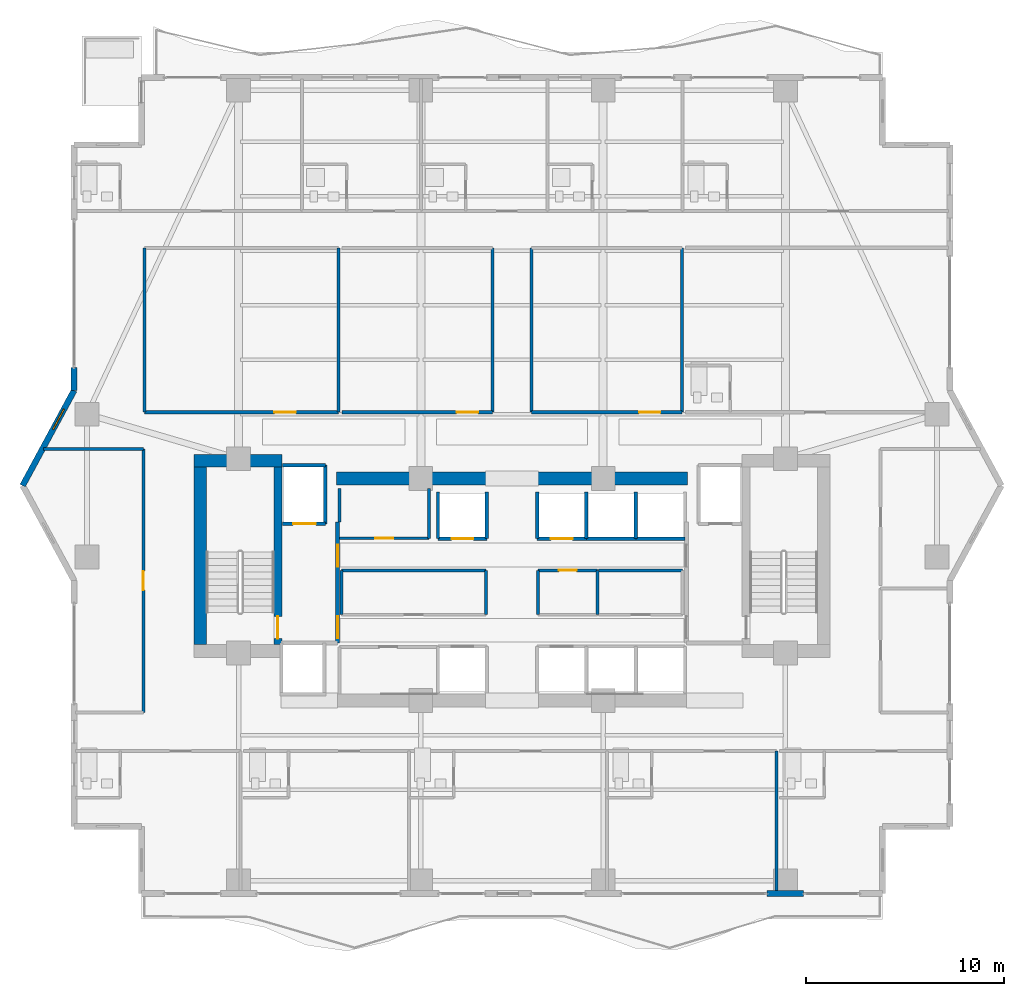
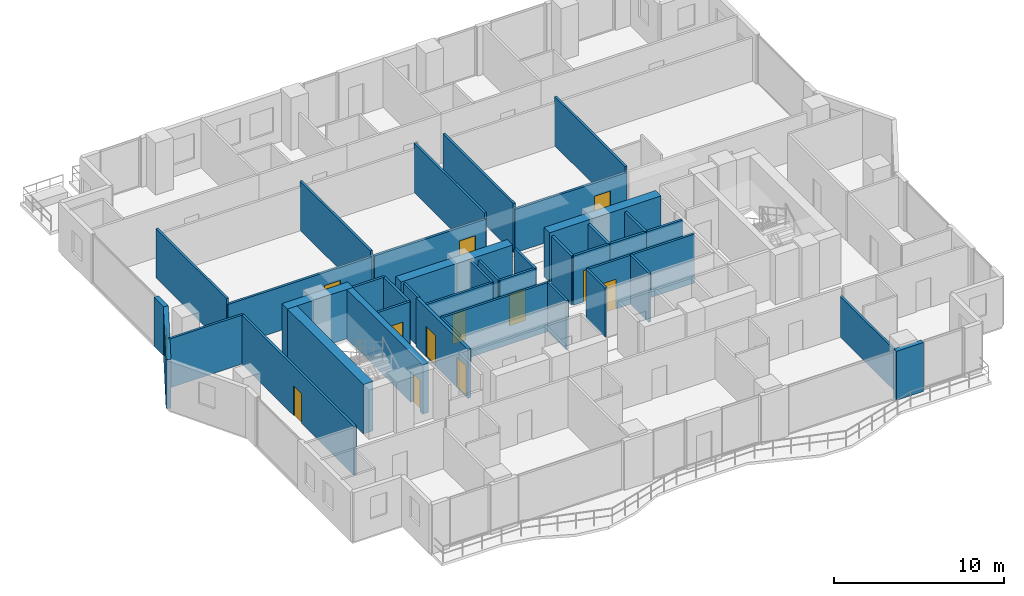
# One storey, part 25 of 32: 42 walls, 12 doors, 1 window, 13 openings.
"""IFC4 building model written with IfcOpenShell, lengths in metres."""

from ifc_helpers import new_model, si_unit, direction, frame, frame_2d, origin, place, context, subcontext, project, spatial, rectangle, extrude, material, layer, layer_set, type_object, element, fill, save


model = new_model("IFC4")

# Units and contexts
model_context = context("Model", 3, precision=1e-05, world=origin(), true_north=direction((0.0, 1.0)))
body_context = subcontext(model_context, "Body", "Model", "MODEL_VIEW")
ifc_project = project(units=[si_unit("LENGTHUNIT", "METRE"), si_unit("AREAUNIT", "SQUARE_METRE"), si_unit("VOLUMEUNIT", "CUBIC_METRE"), si_unit("PLANEANGLEUNIT", "RADIAN"), si_unit("MASSUNIT", "GRAM", prefix="KILO")], contexts=[model_context])

# Site, building, storey
site_placement = place(None, origin())
site = spatial("IfcSite", under=ifc_project, at=site_placement, CompositionType="ELEMENT")
building_placement = place(site_placement, origin())
building = spatial("IfcBuilding", under=site, at=building_placement, Name="Zuhayl Quay Hotel", CompositionType="ELEMENT")
storey_placement = place(building_placement, frame((0.0, 0.0, 184.89990234375)))
storey = spatial("IfcBuildingStorey", under=building, at=storey_placement, Name="L46", CompositionType="ELEMENT", Elevation=184.89990234375)

# Walls
ifc_material_1 = material(Name="Concrete C50/60", Category="concrete")
ifc_layer_1 = layer(ifc_material_1, 0.64990234375, Name="Concrete C50/60", Category="concrete")
ifc_layer_set_1 = layer_set([ifc_layer_1], Name="Concrete C50/60")
wall_type_1 = type_object("IfcWallType", Name="WL_CORE_650", PredefinedType="SHEAR", material=ifc_layer_set_1)
wall_1_placement = place(storey_placement, frame((-16.06005859375, 14.2548828125, 0.0), z_axis=(0.0, 0.0, 1.0), x_axis=(1.0, 0.0, 0.0)))
element("IfcWall", 1, at=wall_1_placement, inside=storey, type_object=wall_type_1, Name="L46 Core Shear Wall CW_NW", PredefinedType="SHEAR", context=body_context, shape_type="SweptSolid", body=[
    extrude(rectangle(XDim=4.4599609375, YDim=0.64990234375, at=frame_2d((2.22998046875, 0.0))), origin(), (0.0, 0.0, 1.0), 3.56005859375),
])
wall_2_placement = place(storey_placement, frame((-15.735107421875, 4.969970703125, 0.0), z_axis=(0.0, 0.0, 1.0), x_axis=(0.0, 1.0, 0.0)))
element("IfcWall", 2, at=wall_2_placement, inside=storey, type_object=wall_type_1, Name="L46 Core Shear Wall CW_W", PredefinedType="SHEAR", context=body_context, shape_type="SweptSolid", body=[
    extrude(rectangle(XDim=8.9599609375, YDim=0.64990234375, at=frame_2d((4.47998046875, 0.0))), origin(), (0.0, 0.0, 1.0), 3.56005859375),
])
for number, where, z_axis, x_axis, name in (
    (3, (-8.85009765625, 13.35009765625, 0.0), (0.0, 0.0, 1.0), (1.0, 0.0, 0.0), "L46 Core Shear Wall CW_NC_W"),
    (4, (1.25, 13.35009765625, 0.0), (0.0, 0.0, 1.0), (1.0, 0.0, 0.0), "L46 Core Shear Wall CW_NC_E"),
):
    element("IfcWall", number, at=place(storey_placement, frame(where, z_axis=z_axis, x_axis=x_axis)), inside=storey, type_object=wall_type_1, Name=name, PredefinedType="SHEAR", context=body_context, shape_type="SweptSolid", body=[
        extrude(rectangle(XDim=7.60009765625, YDim=0.64990234375, at=frame_2d((3.800048828125, 0.0))), origin(), (0.0, 0.0, 1.0), 3.530029296875),
    ])

# Wall, opening, window
ifc_material_2 = material(Name="Precast concrete C45/55", Category="concrete")
ifc_layer_2 = layer(ifc_material_2, 0.300048828125, Name="Precast concrete C45/55", Category="concrete")
ifc_layer_set_2 = layer_set([ifc_layer_2], Name="Precast concrete C45/55")
wall_type_2 = type_object("IfcWallType", Name="WL_EXT_300", PredefinedType="STANDARD", material=ifc_layer_set_2)
wall_3_placement = place(storey_placement, frame((-24.699951171875, 13.0, 0.0), z_axis=(0.0, 0.0, 1.0), x_axis=(0.476258655584, 0.879305233114, 0.0)))
wall_3 = element("IfcWall", 5, at=wall_3_placement, inside=storey, type_object=wall_type_2, Name="L46 Exterior Precast Wall ENV_L46_EW04", PredefinedType="STANDARD", context=body_context, shape_type="SweptSolid", body=[
    extrude(rectangle(XDim=5.458984375, YDim=0.300048828125, at=frame_2d((2.7294921875, 0.0))), origin(), (0.0, 0.0, 1.0), 3.530029296875),
])
opening_1_placement = place(wall_3_placement, frame((3.230712890625, 0.0, 1.25)))
opening_1 = element("IfcOpeningElement", 6, at=opening_1_placement, cuts=wall_3, Name="Opening W01N", PredefinedType="OPENING", context=body_context, shape_type="SweptSolid", body=[
    extrude(rectangle(XDim=1.14990234375, YDim=1.550048828125, at=frame_2d((0.574951171875, 0.77490234375))), frame((0.0, 0.159912109375, 0.0), z_axis=(0.0, -1.0, 0.0), x_axis=(1.0, 0.0, 0.0)), (0.0, 0.0, 1.0), 0.320068359375),
])
ifc_material_3 = material(Name="Dark Ceramic-Fritted Solar Glass", Category="glass")
window_type = type_object("IfcWindowType", Name="WN_NOTCH_1350", PartitioningType="SINGLE_PANEL", PredefinedType="WINDOW", material=ifc_material_3)
window_placement = place(opening_1_placement, origin())
window = element("IfcWindow", 7, at=window_placement, inside=storey, type_object=window_type, Name="L46 Corner Notch Window 4", OverallHeight=1.550048828125, OverallWidth=1.14990234375, PartitioningType="SINGLE_PANEL", PredefinedType="WINDOW", context=body_context, shape_type="SweptSolid", body=[
    extrude(rectangle(XDim=1.14990234375, YDim=1.550048828125, at=frame_2d((0.574951171875, 0.77490234375))), frame((0.0, 0.030029296875, 0.0), z_axis=(0.0, -1.0, 0.0), x_axis=(1.0, 0.0, 0.0)), (0.0, 0.0, 1.0), 0.06005859375),
])
fill(opening_1, window)

# Walls
wall_4_placement = place(storey_placement, frame((-22.10009765625, 17.800048828125, 0.0), z_axis=(0.0, 0.0, 1.0), x_axis=(0.0, 1.0, 0.0)))
element("IfcWall", 8, at=wall_4_placement, inside=storey, type_object=wall_type_2, Name="L46 Exterior Precast Wall ENV_L46_E05_EW1", PredefinedType="STANDARD", context=body_context, shape_type="SweptSolid", body=[
    extrude(rectangle(XDim=1.14990234375, YDim=0.300048828125, at=frame_2d((0.574951171875, 0.0))), origin(), (0.0, 0.0, 1.0), 3.530029296875),
])
wall_5_placement = place(storey_placement, frame((14.719970703125, -7.60009765625, 0.0), z_axis=(0.0, 0.0, 1.0), x_axis=(-1.0, 0.0, 0.0)))
element("IfcWall", 9, at=wall_5_placement, inside=storey, type_object=wall_type_2, Name="L46 Exterior Precast Wall ENV_L46_S_EW2", PredefinedType="STANDARD", context=body_context, shape_type="SweptSolid", body=[
    extrude(rectangle(XDim=1.840087890625, YDim=0.300048828125, at=frame_2d((0.919921875, 0.0))), origin(), (0.0, 0.0, 1.0), 3.530029296875),
])

# Wall, opening, door
ifc_material_4 = material(Name="Acoustic Gypsum Partition STC-58")
ifc_layer_3 = layer(ifc_material_4, 0.14990234375, Name="Acoustic Gypsum Partition STC-58")
ifc_layer_set_3 = layer_set([ifc_layer_3], Name="Acoustic Gypsum Partition STC-58")
wall_type_3 = type_object("IfcWallType", Name="WL_PART_150", PredefinedType="PARTITIONING", material=ifc_layer_set_3)
wall_6_placement = place(storey_placement, frame((-8.7099609375, 10.340087890625, 0.0), z_axis=(0.0, 0.0, 1.0), x_axis=(1.0, 0.0, 0.0)))
wall_6 = element("IfcWall", 10, at=wall_6_placement, inside=storey, type_object=wall_type_3, Name="L46 Partition IW_L46_FLP_N_S", PredefinedType="PARTITIONING", context=body_context, shape_type="SweptSolid", body=[
    extrude(rectangle(XDim=4.52001953125, YDim=0.14990234375, at=frame_2d((2.260009765625, 0.0))), origin(), (0.0, 0.0, 1.0), 3.530029296875),
])
opening_2_placement = place(wall_6_placement, frame((1.81005859375, 0.0, 0.0)))
opening_2 = element("IfcOpeningElement", 11, at=opening_2_placement, cuts=wall_6, Name="Opening D06", PredefinedType="OPENING", context=body_context, shape_type="SweptSolid", body=[
    extrude(rectangle(XDim=0.89990234375, YDim=2.14990234375, at=frame_2d((0.449951171875, 1.074951171875))), frame((0.0, 0.0849609375, 0.0), z_axis=(0.0, -1.0, 0.0), x_axis=(1.0, 0.0, 0.0)), (0.0, 0.0, 1.0), 0.169921875),
])
ifc_material_5 = material(Name="Steel ASTM A992 Grade 50", Category="steel")
door_type_1 = type_object("IfcDoorType", Name="DR_INT_900", OperationType="NOTDEFINED", PredefinedType="DOOR", material=ifc_material_5)
door_1_placement = place(opening_2_placement, origin())
door_1 = element("IfcDoor", 12, at=door_1_placement, inside=storey, type_object=door_type_1, Name="L46 Linen Store West Door", OperationType="SINGLE_SWING_RIGHT", OverallHeight=2.14990234375, OverallWidth=0.89990234375, PredefinedType="DOOR", context=body_context, shape_type="SweptSolid", body=[
    extrude(rectangle(XDim=0.89990234375, YDim=2.14990234375, at=frame_2d((0.449951171875, 1.074951171875))), frame((0.0, 0.02490234375, 0.0), z_axis=(0.0, -1.0, 0.0), x_axis=(1.0, 0.0, 0.0)), (0.0, 0.0, 1.0), 0.050048828125),
])
fill(opening_2, door_1)

wall_7_placement = place(storey_placement, frame((1.320068359375, 8.719970703125, 0.0), z_axis=(0.0, 0.0, 1.0), x_axis=(1.0, 0.0, 0.0)))
wall_7 = element("IfcWall", 13, at=wall_7_placement, inside=storey, type_object=wall_type_3, Name="L46 Partition IW_L46_CORE_IT_N", PredefinedType="PARTITIONING", context=body_context, shape_type="SweptSolid", body=[
    extrude(rectangle(XDim=2.989990234375, YDim=0.14990234375, at=frame_2d((1.4951171875, 0.0))), origin(), (0.0, 0.0, 1.0), 3.530029296875),
])
opening_3_placement = place(wall_7_placement, frame((1.044921875, 0.0, 0.0)))
opening_3 = element("IfcOpeningElement", 14, at=opening_3_placement, cuts=wall_7, Name="Opening D06", PredefinedType="OPENING", context=body_context, shape_type="SweptSolid", body=[
    extrude(rectangle(XDim=0.89990234375, YDim=2.14990234375, at=frame_2d((0.449951171875, 1.074951171875))), frame((0.0, 0.0849609375, 0.0), z_axis=(0.0, -1.0, 0.0), x_axis=(1.0, 0.0, 0.0)), (0.0, 0.0, 1.0), 0.169921875),
])
door_2_placement = place(opening_3_placement, origin())
door_2 = element("IfcDoor", 15, at=door_2_placement, inside=storey, type_object=door_type_1, Name="L46 Telecom Closet Door", OperationType="SINGLE_SWING_RIGHT", OverallHeight=2.14990234375, OverallWidth=0.89990234375, PredefinedType="DOOR", context=body_context, shape_type="SweptSolid", body=[
    extrude(rectangle(XDim=0.89990234375, YDim=2.14990234375, at=frame_2d((0.449951171875, 1.074951171875))), frame((0.0, 0.02490234375, 0.0), z_axis=(0.0, -1.0, 0.0), x_axis=(1.0, 0.0, 0.0)), (0.0, 0.0, 1.0), 0.050048828125),
])
fill(opening_3, door_2)

# Walls
wall_8_placement = place(storey_placement, frame((-8.7099609375, 11.14990234375, 0.0), z_axis=(0.0, 0.0, 1.0), x_axis=(0.0, 1.0, 0.0)))
element("IfcWall", 16, at=wall_8_placement, inside=storey, type_object=wall_type_3, Name="L46 Partition IW_L46_FLP_N_W", PredefinedType="PARTITIONING", context=body_context, shape_type="SweptSolid", body=[
    extrude(rectangle(XDim=1.710205078125, YDim=0.14990234375, at=frame_2d((0.85498046875, 0.0))), origin(), (0.0, 0.0, 1.0), 3.530029296875),
])
wall_9_placement = place(storey_placement, frame((-4.18994140625, 10.340087890625, 0.0), z_axis=(0.0, 0.0, 1.0), x_axis=(0.0, 1.0, 0.0)))
element("IfcWall", 17, at=wall_9_placement, inside=storey, type_object=wall_type_3, Name="L46 Partition IW_L46_FLP_N_E", PredefinedType="PARTITIONING", context=body_context, shape_type="SweptSolid", body=[
    extrude(rectangle(XDim=2.52001953125, YDim=0.14990234375, at=frame_2d((1.260009765625, 0.0))), origin(), (0.0, 0.0, 1.0), 3.530029296875),
])
wall_10_placement = place(storey_placement, frame((-8.610107421875, 8.719970703125, 0.0), z_axis=(0.0, 0.0, 1.0), x_axis=(1.0, 0.0, 0.0)))
element("IfcWall", 18, at=wall_10_placement, inside=storey, type_object=wall_type_3, Name="L46 Partition IW_L46_CORE_EL_N", PredefinedType="PARTITIONING", context=body_context, shape_type="SweptSolid", body=[
    extrude(rectangle(XDim=7.2900390625, YDim=0.14990234375, at=frame_2d((3.64501953125, 0.0))), origin(), (0.0, 0.0, 1.0), 3.530029296875),
])
for number, where, z_axis, x_axis, name in (
    (19, (-8.610107421875, 6.47998046875, 0.0), (0.0, 0.0, 1.0), (0.0, 1.0, 0.0), "L46 Partition IW_L46_CORE_EL_W"),
    (20, (-1.320068359375, 6.47998046875, 0.0), (0.0, 0.0, 1.0), (0.0, 1.0, 0.0), "L46 Partition IW_L46_CORE_EL_E"),
    (21, (1.320068359375, 6.47998046875, 0.0), (0.0, 0.0, 1.0), (0.0, 1.0, 0.0), "L46 Partition IW_L46_CORE_IT_W"),
    (22, (4.31005859375, 6.47998046875, 0.0), (0.0, 0.0, 1.0), (0.0, 1.0, 0.0), "L46 Partition IW_L46_CORE_IT_E"),
):
    element("IfcWall", number, at=place(storey_placement, frame(where, z_axis=z_axis, x_axis=x_axis)), inside=storey, type_object=wall_type_3, Name=name, PredefinedType="PARTITIONING", context=body_context, shape_type="SweptSolid", body=[
        extrude(rectangle(XDim=2.239990234375, YDim=0.14990234375, at=frame_2d((1.1201171875, 0.0))), origin(), (0.0, 0.0, 1.0), 3.530029296875),
    ])
wall_11_placement = place(storey_placement, frame((4.3701171875, 8.719970703125, 0.0), z_axis=(0.0, 0.0, 1.0), x_axis=(1.0, 0.0, 0.0)))
element("IfcWall", 23, at=wall_11_placement, inside=storey, type_object=wall_type_3, Name="L46 Partition IW_L46_CORE_LN_N", PredefinedType="PARTITIONING", context=body_context, shape_type="SweptSolid", body=[
    extrude(rectangle(XDim=4.239990234375, YDim=0.14990234375, at=frame_2d((2.1201171875, 0.0))), origin(), (0.0, 0.0, 1.0), 3.530029296875),
])
for number, where, z_axis, x_axis, name in (
    (24, (-18.550048828125, 16.699951171875, 0.0), (0.0, 0.0, 1.0), (0.0, 1.0, 0.0), "L46 Partition IW_L46_Z3_SAL_W1_W"),
    (25, (-8.75, 16.699951171875, 0.0), (0.0, 0.0, 1.0), (0.0, 1.0, 0.0), "L46 Partition IW_L46_Z3_SAL_W1_E"),
    (26, (-0.97998046875, 16.699951171875, 0.0), (0.0, 0.0, 1.0), (0.0, 1.0, 0.0), "L46 Partition IW_L46_Z3_SAL_W2_E"),
    (27, (0.97998046875, 16.699951171875, 0.0), (0.0, 0.0, 1.0), (0.0, 1.0, 0.0), "L46 Partition IW_L46_Z3_SAL_E1_W"),
    (28, (8.590087890625, 16.699951171875, 0.0), (0.0, 0.0, 1.0), (0.0, 1.0, 0.0), "L46 Partition IW_L46_Z3_SAL_E1_E"),
):
    element("IfcWall", number, at=place(storey_placement, frame(where, z_axis=z_axis, x_axis=x_axis)), inside=storey, type_object=wall_type_3, Name=name, PredefinedType="PARTITIONING", context=body_context, shape_type="SweptSolid", body=[
        extrude(rectangle(XDim=8.300048828125, YDim=0.14990234375, at=frame_2d((4.14990234375, 0.0))), origin(), (0.0, 0.0, 1.0), 3.530029296875),
    ])
wall_12_placement = place(storey_placement, frame((13.340087890625, -7.52001953125, 0.0), z_axis=(0.0, 0.0, 1.0), x_axis=(0.0, 1.0, 0.0)))
element("IfcWall", 29, at=wall_12_placement, inside=storey, type_object=wall_type_3, Name="L46 Partition IW_L46_SU03A_E", PredefinedType="PARTITIONING", context=body_context, shape_type="SweptSolid", body=[
    extrude(rectangle(XDim=7.1201171875, YDim=0.14990234375, at=frame_2d((3.56005859375, 0.0))), origin(), (0.0, 0.0, 1.0), 2.923095703125),
])
wall_13_placement = place(storey_placement, frame((-23.637939453125, 14.85009765625, 0.0), z_axis=(0.0, 0.0, 1.0), x_axis=(1.0, 0.0, 0.0)))
element("IfcWall", 30, at=wall_13_placement, inside=storey, type_object=wall_type_3, Name="L46 Partition IW_L46_WPROW_1_N", PredefinedType="PARTITIONING", context=body_context, shape_type="SweptSolid", body=[
    extrude(rectangle(XDim=5.037841796875, YDim=0.14990234375, at=frame_2d((2.51904296875, 0.0))), origin(), (0.0, 0.0, 1.0), 3.530029296875),
])

# Wall, opening, door
ifc_layer_4 = layer(ifc_material_4, 0.159912109375, Name="Acoustic Gypsum Partition STC-58")
ifc_layer_set_4 = layer_set([ifc_layer_4], Name="Acoustic Gypsum Partition STC-58")
wall_type_4 = type_object("IfcWallType", Name="WL_PART_CORR_160", PredefinedType="PARTITIONING", material=ifc_layer_set_4)
wall_14_placement = place(storey_placement, frame((-18.550048828125, 16.699951171875, 0.0), z_axis=(0.0, 0.0, 1.0), x_axis=(1.0, 0.0, 0.0)))
wall_14 = element("IfcWall", 31, at=wall_14_placement, inside=storey, type_object=wall_type_4, Name="L46 Partition IW_L46_Z3_SAL_W1_S", PredefinedType="PARTITIONING", context=body_context, shape_type="SweptSolid", body=[
    extrude(rectangle(XDim=9.800048828125, YDim=0.159912109375, at=frame_2d((4.89990234375, 0.0))), origin(), (0.0, 0.0, 1.0), 3.1240234375),
])
opening_4_placement = place(wall_14_placement, frame((6.56005859375, 0.0, 0.0)))
opening_4 = element("IfcOpeningElement", 32, at=opening_4_placement, cuts=wall_14, Name="Opening D05A", PredefinedType="OPENING", context=body_context, shape_type="SweptSolid", body=[
    extrude(rectangle(XDim=1.080078125, YDim=2.179931640625, at=frame_2d((0.5400390625, 1.08984375))), frame((0.0, 0.08984375, 0.0), z_axis=(0.0, -1.0, 0.0), x_axis=(1.0, 0.0, 0.0)), (0.0, 0.0, 1.0), 0.179931640625),
])
ifc_material_6 = material(Name="Solid Walnut Acoustic Fire Door")
door_type_2 = type_object("IfcDoorType", Name="DR_INT_1100", OperationType="NOTDEFINED", PredefinedType="DOOR", material=ifc_material_6)
door_3_placement = place(opening_4_placement, origin())
door_3 = element("IfcDoor", 33, at=door_3_placement, inside=storey, type_object=door_type_2, Name="L46 Spa Club Salon Door", OperationType="SINGLE_SWING_RIGHT", OverallHeight=2.179931640625, OverallWidth=1.080078125, PredefinedType="DOOR", context=body_context, shape_type="SweptSolid", body=[
    extrude(rectangle(XDim=1.080078125, YDim=2.179931640625, at=frame_2d((0.5400390625, 1.08984375))), frame((0.0, 0.02490234375, 0.0), z_axis=(0.0, -1.0, 0.0), x_axis=(1.0, 0.0, 0.0)), (0.0, 0.0, 1.0), 0.050048828125),
])
fill(opening_4, door_3)

wall_15_placement = place(storey_placement, frame((-8.590087890625, 16.699951171875, 0.0), z_axis=(0.0, 0.0, 1.0), x_axis=(1.0, 0.0, 0.0)))
wall_15 = element("IfcWall", 34, at=wall_15_placement, inside=storey, type_object=wall_type_4, Name="L46 Partition IW_L46_Z3_SAL_W2_S", PredefinedType="PARTITIONING", context=body_context, shape_type="SweptSolid", body=[
    extrude(rectangle(XDim=7.610107421875, YDim=0.159912109375, at=frame_2d((3.80517578125, 0.0))), origin(), (0.0, 0.0, 1.0), 3.1240234375),
])
opening_5_placement = place(wall_15_placement, frame((5.800048828125, 0.0, 0.0)))
opening_5 = element("IfcOpeningElement", 35, at=opening_5_placement, cuts=wall_15, Name="Opening D05A", PredefinedType="OPENING", context=body_context, shape_type="SweptSolid", body=[
    extrude(rectangle(XDim=1.080078125, YDim=2.179931640625, at=frame_2d((0.5400390625, 1.08984375))), frame((0.0, 0.08984375, 0.0), z_axis=(0.0, -1.0, 0.0), x_axis=(1.0, 0.0, 0.0)), (0.0, 0.0, 1.0), 0.179931640625),
])
door_4_placement = place(opening_5_placement, origin())
door_4 = element("IfcDoor", 36, at=door_4_placement, inside=storey, type_object=door_type_2, Name="L46 Spa Reading Lounge Door", OperationType="SINGLE_SWING_LEFT", OverallHeight=2.179931640625, OverallWidth=1.080078125, PredefinedType="DOOR", context=body_context, shape_type="SweptSolid", body=[
    extrude(rectangle(XDim=1.080078125, YDim=2.179931640625, at=frame_2d((0.5400390625, 1.08984375))), frame((0.0, 0.02490234375, 0.0), z_axis=(0.0, -1.0, 0.0), x_axis=(1.0, 0.0, 0.0)), (0.0, 0.0, 1.0), 0.050048828125),
])
fill(opening_5, door_4)

wall_16_placement = place(storey_placement, frame((0.97998046875, 16.699951171875, 0.0), z_axis=(0.0, 0.0, 1.0), x_axis=(1.0, 0.0, 0.0)))
wall_16 = element("IfcWall", 37, at=wall_16_placement, inside=storey, type_object=wall_type_4, Name="L46 Partition IW_L46_Z3_SAL_E1_S", PredefinedType="PARTITIONING", context=body_context, shape_type="SweptSolid", body=[
    extrude(rectangle(XDim=7.610107421875, YDim=0.159912109375, at=frame_2d((3.80517578125, 0.0))), origin(), (0.0, 0.0, 1.0), 3.1240234375),
])
opening_6_placement = place(wall_16_placement, frame((5.429931640625, 0.0, 0.0)))
opening_6 = element("IfcOpeningElement", 38, at=opening_6_placement, cuts=wall_16, Name="Opening D05A", PredefinedType="OPENING", context=body_context, shape_type="SweptSolid", body=[
    extrude(rectangle(XDim=1.080078125, YDim=2.179931640625, at=frame_2d((0.5400390625, 1.08984375))), frame((0.0, 0.08984375, 0.0), z_axis=(0.0, -1.0, 0.0), x_axis=(1.0, 0.0, 0.0)), (0.0, 0.0, 1.0), 0.179931640625),
])
door_5_placement = place(opening_6_placement, origin())
door_5 = element("IfcDoor", 39, at=door_5_placement, inside=storey, type_object=door_type_2, Name="L46 Club Concierge Salon Door", OperationType="SINGLE_SWING_RIGHT", OverallHeight=2.179931640625, OverallWidth=1.080078125, PredefinedType="DOOR", context=body_context, shape_type="SweptSolid", body=[
    extrude(rectangle(XDim=1.080078125, YDim=2.179931640625, at=frame_2d((0.5400390625, 1.08984375))), frame((0.0, 0.02490234375, 0.0), z_axis=(0.0, -1.0, 0.0), x_axis=(1.0, 0.0, 0.0)), (0.0, 0.0, 1.0), 0.050048828125),
])
fill(opening_6, door_5)

wall_17_placement = place(storey_placement, frame((-18.60009765625, 1.550048828125, 0.0), z_axis=(0.0, 0.0, 1.0), x_axis=(0.0, 1.0, 0.0)))
wall_17 = element("IfcWall", 40, at=wall_17_placement, inside=storey, type_object=wall_type_4, Name="L46 Partition IW_L46_WPROW_1_E", PredefinedType="PARTITIONING", context=body_context, shape_type="SweptSolid", body=[
    extrude(rectangle(XDim=13.300048828125, YDim=0.159912109375, at=frame_2d((6.64990234375, 0.0))), origin(), (0.0, 0.0, 1.0), 3.530029296875),
])
opening_7_placement = place(wall_17_placement, frame((6.175048828125, 0.0, 0.0)))
opening_7 = element("IfcOpeningElement", 41, at=opening_7_placement, cuts=wall_17, Name="Opening D03", PredefinedType="OPENING", context=body_context, shape_type="SweptSolid", body=[
    extrude(rectangle(XDim=0.949951171875, YDim=2.14990234375, at=frame_2d((0.47509765625, 1.074951171875))), frame((0.0, 0.08984375, 0.0), z_axis=(0.0, -1.0, 0.0), x_axis=(1.0, 0.0, 0.0)), (0.0, 0.0, 1.0), 0.179931640625),
])
door_type_3 = type_object("IfcDoorType", Name="DR_SUITE_950", OperationType="NOTDEFINED", PredefinedType="DOOR", material=ifc_material_6)
door_6_placement = place(opening_7_placement, origin())
door_6 = element("IfcDoor", 42, at=door_6_placement, inside=storey, type_object=door_type_3, Name="L46 West Prow Panoramic Salon L46 Door", OperationType="SINGLE_SWING_LEFT", OverallHeight=2.14990234375, OverallWidth=0.949951171875, PredefinedType="DOOR", context=body_context, shape_type="SweptSolid", body=[
    extrude(rectangle(XDim=0.949951171875, YDim=2.14990234375, at=frame_2d((0.47509765625, 1.074951171875))), frame((0.0, 0.02490234375, 0.0), z_axis=(0.0, -1.0, 0.0), x_axis=(1.0, 0.0, 0.0)), (0.0, 0.0, 1.0), 0.050048828125),
])
fill(opening_7, door_6)

ifc_material_7 = material(Name="Gypsum Fireboard Assembly EI-90")
ifc_layer_5 = layer(ifc_material_7, 0.1650390625, Name="Gypsum Fireboard Assembly EI-90")
ifc_layer_set_5 = layer_set([ifc_layer_5], Name="Gypsum Fireboard Assembly EI-90")
wall_type_5 = type_object("IfcWallType", Name="WL_PART_SHAFT_160", PredefinedType="PARTITIONING", material=ifc_layer_set_5)
wall_18_placement = place(storey_placement, frame((-11.580078125, 11.070068359375, 0.0), z_axis=(0.0, 0.0, 1.0), x_axis=(1.0, 0.0, 0.0)))
wall_18 = element("IfcWall", 43, at=wall_18_placement, inside=storey, type_object=wall_type_5, Name="L46 Partition IW_L46_SH_FL1_F", PredefinedType="PARTITIONING", context=body_context, shape_type="SweptSolid", body=[
    extrude(rectangle(XDim=2.16015625, YDim=0.1650390625, at=frame_2d((1.080078125, 0.0))), origin(), (0.0, 0.0, 1.0), 3.530029296875),
])
opening_8_placement = place(wall_18_placement, frame((0.530029296875, 0.0, 0.0)))
opening_8 = element("IfcOpeningElement", 44, at=opening_8_placement, cuts=wall_18, Name="Opening LD2", PredefinedType="OPENING", context=body_context, shape_type="SweptSolid", body=[
    extrude(rectangle(XDim=1.14990234375, YDim=2.25, at=frame_2d((0.574951171875, 1.125))), frame((0.0, 0.092529296875, 0.0), z_axis=(0.0, -1.0, 0.0), x_axis=(1.0, 0.0, 0.0)), (0.0, 0.0, 1.0), 0.18505859375),
])
ifc_material_8 = material(Name="Brushed Stainless Steel", Category="steel")
door_type_4 = type_object("IfcDoorType", Name="DR_LIFT_FF_1100", OperationType="SLIDING_TO_LEFT", PredefinedType="DOOR", material=ifc_material_8)
door_7_placement = place(opening_8_placement, origin())
door_7 = element("IfcDoor", 45, at=door_7_placement, inside=storey, type_object=door_type_4, Name="L46 Lift FL1 Sliding Landing Door", OperationType="SLIDING_TO_LEFT", OverallHeight=2.25, OverallWidth=1.14990234375, PredefinedType="DOOR", context=body_context, shape_type="SweptSolid", body=[
    extrude(rectangle(XDim=1.14990234375, YDim=2.25, at=frame_2d((0.574951171875, 1.125))), frame((0.0, 0.02490234375, 0.0), z_axis=(0.0, -1.0, 0.0), x_axis=(1.0, 0.0, 0.0)), (0.0, 0.0, 1.0), 0.050048828125),
])
fill(opening_8, door_7)

wall_19_placement = place(storey_placement, frame((-3.72998046875, 10.320068359375, 0.0), z_axis=(0.0, 0.0, 1.0), x_axis=(1.0, 0.0, 0.0)))
wall_19 = element("IfcWall", 46, at=wall_19_placement, inside=storey, type_object=wall_type_5, Name="L46 Partition IW_L46_SH_MP3_F", PredefinedType="PARTITIONING", context=body_context, shape_type="SweptSolid", body=[
    extrude(rectangle(XDim=2.4599609375, YDim=0.1650390625, at=frame_2d((1.22998046875, 0.0))), origin(), (0.0, 0.0, 1.0), 3.530029296875),
])
opening_9_placement = place(wall_19_placement, frame((0.679931640625, 0.0, 0.0)))
opening_9 = element("IfcOpeningElement", 47, at=opening_9_placement, cuts=wall_19, Name="Opening LD1", PredefinedType="OPENING", context=body_context, shape_type="SweptSolid", body=[
    extrude(rectangle(XDim=1.10009765625, YDim=2.25, at=frame_2d((0.550048828125, 1.125))), frame((0.0, 0.092529296875, 0.0), z_axis=(0.0, -1.0, 0.0), x_axis=(1.0, 0.0, 0.0)), (0.0, 0.0, 1.0), 0.18505859375),
])
door_type_5 = type_object("IfcDoorType", Name="DR_LIFT_PASS_1100", OperationType="SLIDING_TO_LEFT", PredefinedType="DOOR", material=ifc_material_8)
door_8_placement = place(opening_9_placement, origin())
door_8 = element("IfcDoor", 48, at=door_8_placement, inside=storey, type_object=door_type_5, Name="L46 Lift MP3 Sliding Landing Door", OperationType="SLIDING_TO_LEFT", OverallHeight=2.25, OverallWidth=1.10009765625, PredefinedType="DOOR", context=body_context, shape_type="SweptSolid", body=[
    extrude(rectangle(XDim=1.10009765625, YDim=2.25, at=frame_2d((0.550048828125, 1.125))), frame((0.0, 0.02490234375, 0.0), z_axis=(0.0, -1.0, 0.0), x_axis=(1.0, 0.0, 0.0)), (0.0, 0.0, 1.0), 0.050048828125),
])
fill(opening_9, door_8)

wall_20_placement = place(storey_placement, frame((1.27001953125, 10.320068359375, 0.0), z_axis=(0.0, 0.0, 1.0), x_axis=(1.0, 0.0, 0.0)))
wall_20 = element("IfcWall", 49, at=wall_20_placement, inside=storey, type_object=wall_type_5, Name="L46 Partition IW_L46_SH_MP4_F", PredefinedType="PARTITIONING", context=body_context, shape_type="SweptSolid", body=[
    extrude(rectangle(XDim=2.47998046875, YDim=0.1650390625, at=frame_2d((1.239990234375, 0.0))), origin(), (0.0, 0.0, 1.0), 3.530029296875),
])
opening_10_placement = place(wall_20_placement, frame((0.68994140625, 0.0, 0.0)))
opening_10 = element("IfcOpeningElement", 50, at=opening_10_placement, cuts=wall_20, Name="Opening LD1", PredefinedType="OPENING", context=body_context, shape_type="SweptSolid", body=[
    extrude(rectangle(XDim=1.10009765625, YDim=2.25, at=frame_2d((0.550048828125, 1.125))), frame((0.0, 0.092529296875, 0.0), z_axis=(0.0, -1.0, 0.0), x_axis=(1.0, 0.0, 0.0)), (0.0, 0.0, 1.0), 0.18505859375),
])
door_9_placement = place(opening_10_placement, origin())
door_9 = element("IfcDoor", 51, at=door_9_placement, inside=storey, type_object=door_type_5, Name="L46 Lift MP4 Sliding Landing Door", OperationType="SLIDING_TO_LEFT", OverallHeight=2.25, OverallWidth=1.10009765625, PredefinedType="DOOR", context=body_context, shape_type="SweptSolid", body=[
    extrude(rectangle(XDim=1.10009765625, YDim=2.25, at=frame_2d((0.550048828125, 1.125))), frame((0.0, 0.02490234375, 0.0), z_axis=(0.0, -1.0, 0.0), x_axis=(1.0, 0.0, 0.0)), (0.0, 0.0, 1.0), 0.050048828125),
])
fill(opening_10, door_9)

# Walls
wall_21_placement = place(storey_placement, frame((-9.419921875, 11.070068359375, 0.0), z_axis=(0.0, 0.0, 1.0), x_axis=(0.0, 1.0, 0.0)))
element("IfcWall", 52, at=wall_21_placement, inside=storey, type_object=wall_type_5, Name="L46 Partition IW_L46_SH_FL1_E", PredefinedType="PARTITIONING", context=body_context, shape_type="SweptSolid", body=[
    extrude(rectangle(XDim=2.9599609375, YDim=0.1650390625, at=frame_2d((1.47998046875, 0.0))), origin(), (0.0, 0.0, 1.0), 3.530029296875),
])
wall_22_placement = place(storey_placement, frame((-11.580078125, 14.030029296875, 0.0), z_axis=(0.0, 0.0, 1.0), x_axis=(1.0, 0.0, 0.0)))
element("IfcWall", 53, at=wall_22_placement, inside=storey, type_object=wall_type_5, Name="L46 Partition IW_L46_SH_FL1_B", PredefinedType="PARTITIONING", context=body_context, shape_type="SweptSolid", body=[
    extrude(rectangle(XDim=2.16015625, YDim=0.1650390625, at=frame_2d((1.080078125, 0.0))), origin(), (0.0, 0.0, 1.0), 3.530029296875),
])
for number, where, z_axis, x_axis, name in (
    (54, (-3.72998046875, 10.320068359375, 0.0), (0.0, 0.0, 1.0), (0.0, 1.0, 0.0), "L46 Partition IW_L46_SH_MP3_W"),
    (55, (-1.27001953125, 10.320068359375, 0.0), (0.0, 0.0, 1.0), (0.0, 1.0, 0.0), "L46 Partition IW_L46_SH_MP3_E"),
    (56, (1.27001953125, 10.320068359375, 0.0), (0.0, 0.0, 1.0), (0.0, 1.0, 0.0), "L46 Partition IW_L46_SH_MP4_W"),
    (57, (3.75, 10.320068359375, 0.0), (0.0, 0.0, 1.0), (0.0, 1.0, 0.0), "L46 Partition IW_L46_SH_MP4_E"),
):
    element("IfcWall", number, at=place(storey_placement, frame(where, z_axis=z_axis, x_axis=x_axis)), inside=storey, type_object=wall_type_5, Name=name, PredefinedType="PARTITIONING", context=body_context, shape_type="SweptSolid", body=[
        extrude(rectangle(XDim=2.35986328125, YDim=0.1650390625, at=frame_2d((1.179931640625, 0.0))), origin(), (0.0, 0.0, 1.0), 3.530029296875),
    ])
wall_23_placement = place(storey_placement, frame((3.75, 10.320068359375, 0.0), z_axis=(0.0, 0.0, 1.0), x_axis=(1.0, 0.0, 0.0)))
element("IfcWall", 58, at=wall_23_placement, inside=storey, type_object=wall_type_5, Name="L46 Partition IW_L46_SH_HP3_F", PredefinedType="PARTITIONING", context=body_context, shape_type="SweptSolid", body=[
    extrude(rectangle(XDim=2.5, YDim=0.1650390625, at=frame_2d((1.25, 0.0))), origin(), (0.0, 0.0, 1.0), 3.530029296875),
])
wall_24_placement = place(storey_placement, frame((6.25, 10.320068359375, 0.0), z_axis=(0.0, 0.0, 1.0), x_axis=(0.0, 1.0, 0.0)))
element("IfcWall", 59, at=wall_24_placement, inside=storey, type_object=wall_type_5, Name="L46 Partition IW_L46_SH_HP3_E", PredefinedType="PARTITIONING", context=body_context, shape_type="SweptSolid", body=[
    extrude(rectangle(XDim=2.35986328125, YDim=0.1650390625, at=frame_2d((1.179931640625, 0.0))), origin(), (0.0, 0.0, 1.0), 3.530029296875),
])
wall_25_placement = place(storey_placement, frame((6.25, 10.320068359375, 0.0), z_axis=(0.0, 0.0, 1.0), x_axis=(1.0, 0.0, 0.0)))
element("IfcWall", 60, at=wall_25_placement, inside=storey, type_object=wall_type_5, Name="L46 Partition IW_L46_SH_HP4_F", PredefinedType="PARTITIONING", context=body_context, shape_type="SweptSolid", body=[
    extrude(rectangle(XDim=2.47998046875, YDim=0.1650390625, at=frame_2d((1.239990234375, 0.0))), origin(), (0.0, 0.0, 1.0), 3.530029296875),
])

# Wall, openings, doors
ifc_material_9 = material(Name="Gypsum Fireboard Assembly EI-120")
ifc_layer_6 = layer(ifc_material_9, 0.199951171875, Name="Gypsum Fireboard Assembly EI-120")
ifc_layer_set_6 = layer_set([ifc_layer_6], Name="Gypsum Fireboard Assembly EI-120")
wall_type_6 = type_object("IfcWallType", Name="WL_PART_SHAFT_200", PredefinedType="PARTITIONING", material=ifc_layer_set_6)
wall_26_placement = place(storey_placement, frame((-8.800048828125, 5.050048828125, 0.0), z_axis=(0.0, 0.0, 1.0), x_axis=(0.0, 1.0, 0.0)))
wall_26 = element("IfcWall", 61, at=wall_26_placement, inside=storey, type_object=wall_type_6, Name="L46 Partition IW_L46_FSAE_W_E", PredefinedType="PARTITIONING", context=body_context, shape_type="SweptSolid", body=[
    extrude(rectangle(XDim=6.099853515625, YDim=0.199951171875, at=frame_2d((3.0498046875, 0.0))), origin(), (0.0, 0.0, 1.0), 3.530029296875),
])
opening_11_placement = place(wall_26_placement, frame((0.25, 0.0, 0.0)))
opening_11 = element("IfcOpeningElement", 62, at=opening_11_placement, cuts=wall_26, Name="Opening D02", PredefinedType="OPENING", context=body_context, shape_type="SweptSolid", body=[
    extrude(rectangle(XDim=1.10009765625, YDim=2.199951171875, at=frame_2d((0.550048828125, 1.10009765625))), frame((0.0, 0.10986328125, 0.0), z_axis=(0.0, -1.0, 0.0), x_axis=(1.0, 0.0, 0.0)), (0.0, 0.0, 1.0), 0.219970703125),
])
opening_12_placement = place(wall_26_placement, frame((3.85009765625, 0.0, 0.0)))
opening_12 = element("IfcOpeningElement", 63, at=opening_12_placement, cuts=wall_26, Name="Opening D02", PredefinedType="OPENING", context=body_context, shape_type="SweptSolid", body=[
    extrude(rectangle(XDim=1.10009765625, YDim=2.199951171875, at=frame_2d((0.550048828125, 1.10009765625))), frame((0.0, 0.10986328125, 0.0), z_axis=(0.0, -1.0, 0.0), x_axis=(1.0, 0.0, 0.0)), (0.0, 0.0, 1.0), 0.219970703125),
])
door_type_6 = type_object("IfcDoorType", Name="DR_FIRE_90_1100", OperationType="NOTDEFINED", PredefinedType="DOOR", material=ifc_material_5)
door_10_placement = place(opening_11_placement, origin())
door_10 = element("IfcDoor", 64, at=door_10_placement, inside=storey, type_object=door_type_6, Name="L46 FSAE Lobby West South Entry Door", OperationType="SINGLE_SWING_LEFT", OverallHeight=2.199951171875, OverallWidth=1.10009765625, PredefinedType="DOOR", context=body_context, shape_type="SweptSolid", body=[
    extrude(rectangle(XDim=1.10009765625, YDim=2.199951171875, at=frame_2d((0.550048828125, 1.10009765625))), frame((0.0, 0.02490234375, 0.0), z_axis=(0.0, -1.0, 0.0), x_axis=(1.0, 0.0, 0.0)), (0.0, 0.0, 1.0), 0.050048828125),
])
fill(opening_11, door_10)
door_11_placement = place(opening_12_placement, origin())
door_11 = element("IfcDoor", 65, at=door_11_placement, inside=storey, type_object=door_type_6, Name="L46 FSAE Lobby West North Entry Door", OperationType="SINGLE_SWING_RIGHT", OverallHeight=2.199951171875, OverallWidth=1.10009765625, PredefinedType="DOOR", context=body_context, shape_type="SweptSolid", body=[
    extrude(rectangle(XDim=1.10009765625, YDim=2.199951171875, at=frame_2d((0.550048828125, 1.10009765625))), frame((0.0, 0.02490234375, 0.0), z_axis=(0.0, -1.0, 0.0), x_axis=(1.0, 0.0, 0.0)), (0.0, 0.0, 1.0), 0.050048828125),
])
fill(opening_12, door_11)

# Wall, opening, door
ifc_material_10 = material(Name="Concrete C60/75", Category="concrete")
ifc_layer_7 = layer(ifc_material_10, 0.39990234375, Name="Concrete C60/75", Category="concrete")
ifc_layer_set_7 = layer_set([ifc_layer_7], Name="Concrete C60/75")
wall_type_7 = type_object("IfcWallType", Name="WL_STAIR_400", PredefinedType="SHEAR", material=ifc_layer_set_7)
wall_27_placement = place(storey_placement, frame((-11.820068359375, 4.969970703125, 0.0), z_axis=(0.0, 0.0, 1.0), x_axis=(0.0, 1.0, 0.0)))
wall_27 = element("IfcWall", 66, at=wall_27_placement, inside=storey, type_object=wall_type_7, Name="L46 Core Shear Wall SW_ST1", PredefinedType="SHEAR", context=body_context, shape_type="SweptSolid", body=[
    extrude(rectangle(XDim=8.9599609375, YDim=0.39990234375, at=frame_2d((4.47998046875, 0.0))), origin(), (0.0, 0.0, 1.0), 3.56005859375),
])
opening_13_placement = place(wall_27_placement, frame((0.31005859375, 0.0, 0.0)))
opening_13 = element("IfcOpeningElement", 67, at=opening_13_placement, cuts=wall_27, Name="Opening D01", PredefinedType="OPENING", context=body_context, shape_type="SweptSolid", body=[
    extrude(rectangle(XDim=1.1201171875, YDim=2.219970703125, at=frame_2d((0.56005859375, 1.10986328125))), frame((0.0, 0.2099609375, 0.0), z_axis=(0.0, -1.0, 0.0), x_axis=(1.0, 0.0, 0.0)), (0.0, 0.0, 1.0), 0.419921875),
])
door_type_7 = type_object("IfcDoorType", Name="DR_STAIR_90_1100", OperationType="NOTDEFINED", PredefinedType="DOOR", material=ifc_material_5)
door_12_placement = place(opening_13_placement, origin())
door_12 = element("IfcDoor", 68, at=door_12_placement, inside=storey, type_object=door_type_7, Name="L46 Smokeproof Exit Stair ST1 Door", OperationType="SINGLE_SWING_LEFT", OverallHeight=2.219970703125, OverallWidth=1.1201171875, PredefinedType="DOOR", context=body_context, shape_type="SweptSolid", body=[
    extrude(rectangle(XDim=1.1201171875, YDim=2.219970703125, at=frame_2d((0.56005859375, 1.10986328125))), frame((0.0, 0.02490234375, 0.0), z_axis=(0.0, -1.0, 0.0), x_axis=(1.0, 0.0, 0.0)), (0.0, 0.0, 1.0), 0.050048828125),
])
fill(opening_13, door_12)

save(model, "model.ifc")
